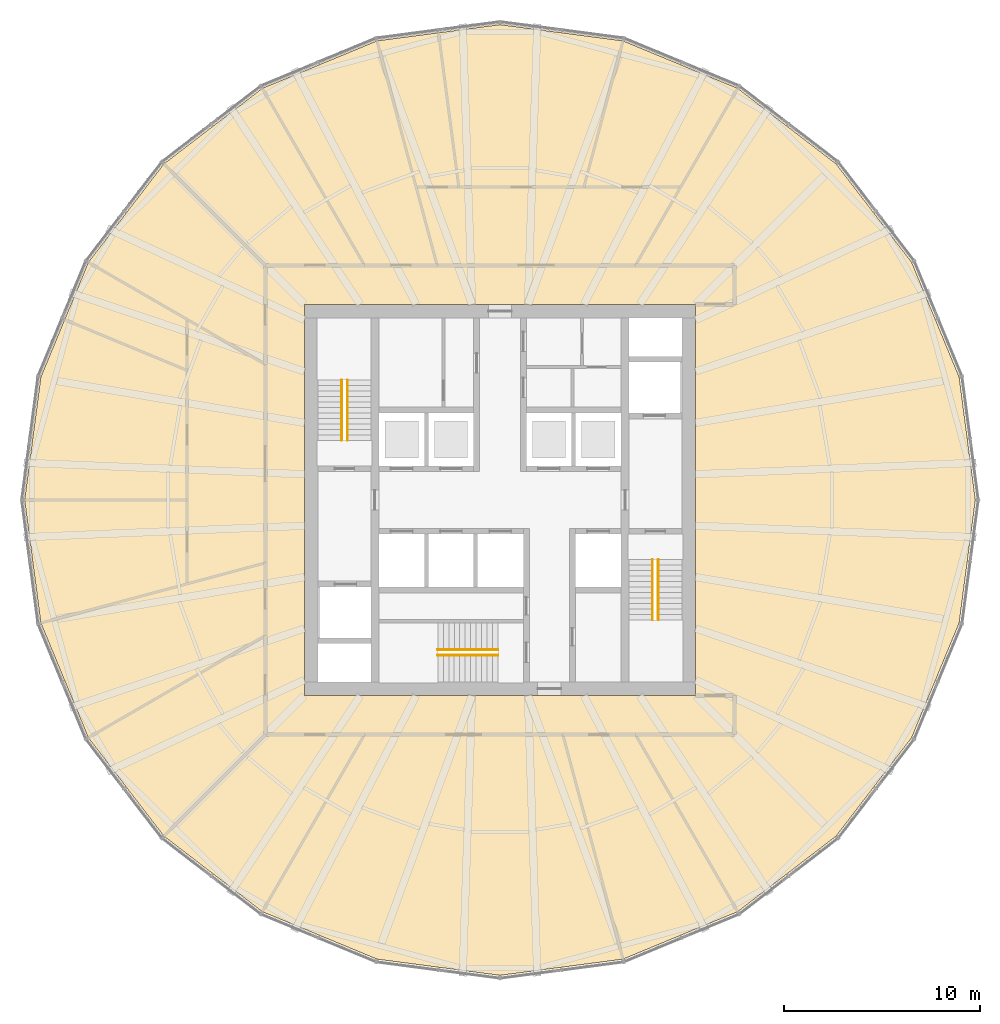
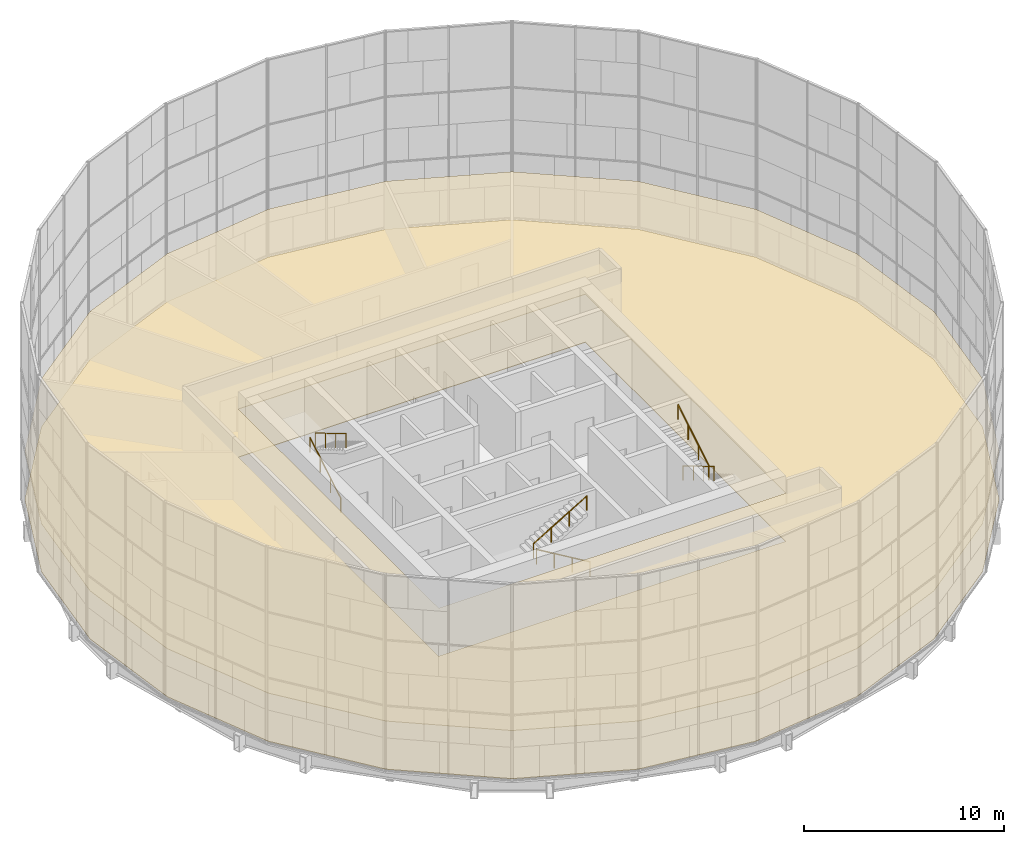
# One storey, part 21 of 22: 6 railings, 2 coverings.
"""IFC4 building model written with IfcOpenShell, lengths in metres."""

from ifc_helpers import new_model, si_unit, direction, frame, origin, origin_2d, place, context, subcontext, project, spatial, polyline, circle, outline, extrude, material, layer, layer_set, type_object, element, save


model = new_model("IFC4")

# Units and contexts
model_context = context("Model", 3, precision=1e-05, world=origin(), true_north=direction((0.0, 1.0)))
body_context = subcontext(model_context, "Body", "Model", "MODEL_VIEW")
ifc_project = project(units=[si_unit("LENGTHUNIT", "METRE"), si_unit("AREAUNIT", "SQUARE_METRE"), si_unit("VOLUMEUNIT", "CUBIC_METRE"), si_unit("PLANEANGLEUNIT", "RADIAN"), si_unit("MASSUNIT", "GRAM", prefix="KILO")], contexts=[model_context])

# Site, building, storey
site_placement = place(None, origin())
site = spatial("IfcSite", under=ifc_project, at=site_placement, CompositionType="ELEMENT")
building_placement = place(site_placement, origin())
building = spatial("IfcBuilding", under=site, at=building_placement, Name="Golbaran Civic Tower", CompositionType="ELEMENT")
storey_placement = place(building_placement, frame((0.0, 0.0, 90.0)))
storey = spatial("IfcBuildingStorey", under=building, at=storey_placement, Name="L21", CompositionType="ELEMENT", Elevation=90.0)

# Covering
ifc_material_1 = material(Name="Perforated aluminium plank on carriers", Category="aluminium")
ifc_layer_1 = layer(ifc_material_1, 0.030029296875, Name="Perforated aluminium plank on carriers")
ifc_layer_set_1 = layer_set([ifc_layer_1], Name="Perforated aluminium plank on carriers")
covering_type_1 = type_object("IfcCoveringType", Name="METAL PLANK CEILING 30", PredefinedType="CEILING", material=ifc_layer_set_1)
covering_1_placement = place(storey_placement, frame((0.0, 0.0, 2.89990234375)))
element("IfcCovering", 1, at=covering_1_placement, inside=storey, type_object=covering_type_1, Name="Suspended ceiling L21", PredefinedType="CEILING", context=body_context, shape_type="SweptSolid", body=[
    extrude(outline(polyline([(-21.053955078125, 12.155517578125), (-17.1904296875, 17.1904296875), (-12.155517578125, 21.053955078125), (-6.292236328125, 23.482666015625), (0.0, 24.31103515625), (6.292236328125, 23.482666015625), (12.155517578125, 21.053955078125), (17.1904296875, 17.1904296875), (21.053955078125, 12.155517578125), (23.482666015625, 6.292236328125), (24.31103515625, 0.0), (23.482666015625, -6.292236328125), (21.053955078125, -12.155517578125), (17.1904296875, -17.1904296875), (12.155517578125, -21.053955078125), (6.292236328125, -23.482666015625), (0.0, -24.31103515625), (-6.292236328125, -23.482666015625), (-12.155517578125, -21.053955078125), (-17.1904296875, -17.1904296875), (-21.053955078125, -12.155517578125), (-23.482666015625, -6.292236328125), (-24.31103515625, 0.0), (-23.482666015625, 6.292236328125), (-21.053955078125, 12.155517578125)]), holes=[polyline([(10.0, -10.0), (10.0, 10.0), (-10.0, 10.0), (-10.0, -10.0), (10.0, -10.0)])]), origin(), (0.0, 0.0, 1.0), 0.030029296875),
])

# Railings
ifc_material_2 = material(Name="Stainless steel", Category="steel")
railing_type = type_object("IfcRailingType", Name="STAIR HANDRAIL 900", PredefinedType="HANDRAIL", material=ifc_material_2)
railing_1_placement = place(storey_placement, frame((-8.10009765625, 3.050048828125, 0.166748046875)))
element("IfcRailing", 2, at=railing_1_placement, inside=storey, type_object=railing_type, Name="Stair S1 handrail flight 1 L21", PredefinedType="HANDRAIL", context=body_context, shape_type="SweptSolid", body=[
    extrude(circle(Radius=0.02392578125, at=origin_2d()), frame((0.0, 0.0, 0.8759765625), z_axis=(0.0, 0.859290745958, 0.51148745235), x_axis=(-1.0, 0.0, 0.0)), (0.0, 0.0, 1.0), 3.584228515625),
    extrude(circle(Radius=0.02099609375, at=origin_2d()), origin(), (0.0, 0.0, 1.0), 0.851806640625),
    extrude(circle(Radius=0.02099609375, at=origin_2d()), frame((0.0, 1.026611328125, 0.611083984375)), (0.0, 0.0, 1.0), 0.851806640625),
    extrude(circle(Radius=0.02099609375, at=origin_2d()), frame((0.0, 2.05322265625, 1.22216796875)), (0.0, 0.0, 1.0), 0.851806640625),
    extrude(circle(Radius=0.02099609375, at=origin_2d()), frame((0.0, 3.079833984375, 1.833251953125)), (0.0, 0.0, 1.0), 0.851806640625),
])
for number, where, name in (
    (3, (-7.800048828125, 6.1298828125, 2.166748046875), "Stair S1 handrail flight 2 L21"),
    (4, (8.10009765625, -3.050048828125, 0.166748046875), "Stair S2 handrail flight 1 L21"),
):
    element("IfcRailing", number, at=place(storey_placement, frame(where)), inside=storey, type_object=railing_type, Name=name, PredefinedType="HANDRAIL", context=body_context, shape_type="SweptSolid", body=[
        extrude(circle(Radius=0.02392578125, at=origin_2d()), frame((0.0, 0.0, 0.8759765625), z_axis=(0.0, -0.859290745958, 0.51148745235), x_axis=(1.0, 0.0, 0.0)), (0.0, 0.0, 1.0), 3.584228515625),
        extrude(circle(Radius=0.02099609375, at=origin_2d()), origin(), (0.0, 0.0, 1.0), 0.851806640625),
        extrude(circle(Radius=0.02099609375, at=origin_2d()), frame((0.0, -1.026611328125, 0.611083984375)), (0.0, 0.0, 1.0), 0.851806640625),
        extrude(circle(Radius=0.02099609375, at=origin_2d()), frame((0.0, -2.05322265625, 1.22216796875)), (0.0, 0.0, 1.0), 0.851806640625),
        extrude(circle(Radius=0.02099609375, at=origin_2d()), frame((0.0, -3.079833984375, 1.833251953125)), (0.0, 0.0, 1.0), 0.851806640625),
    ])
railing_2_placement = place(storey_placement, frame((7.800048828125, -6.1298828125, 2.166748046875)))
element("IfcRailing", 5, at=railing_2_placement, inside=storey, type_object=railing_type, Name="Stair S2 handrail flight 2 L21", PredefinedType="HANDRAIL", context=body_context, shape_type="SweptSolid", body=[
    extrude(circle(Radius=0.02392578125, at=origin_2d()), frame((0.0, 0.0, 0.8759765625), z_axis=(0.0, 0.859290745958, 0.51148745235), x_axis=(-1.0, 0.0, 0.0)), (0.0, 0.0, 1.0), 3.584228515625),
    extrude(circle(Radius=0.02099609375, at=origin_2d()), origin(), (0.0, 0.0, 1.0), 0.851806640625),
    extrude(circle(Radius=0.02099609375, at=origin_2d()), frame((0.0, 1.026611328125, 0.611083984375)), (0.0, 0.0, 1.0), 0.851806640625),
    extrude(circle(Radius=0.02099609375, at=origin_2d()), frame((0.0, 2.05322265625, 1.22216796875)), (0.0, 0.0, 1.0), 0.851806640625),
    extrude(circle(Radius=0.02099609375, at=origin_2d()), frame((0.0, 3.079833984375, 1.833251953125)), (0.0, 0.0, 1.0), 0.851806640625),
])
railing_3_placement = place(storey_placement, frame((-0.10009765625, -7.949951171875, 0.166748046875)))
element("IfcRailing", 6, at=railing_3_placement, inside=storey, type_object=railing_type, Name="Stair S3 handrail flight 1 L21", PredefinedType="HANDRAIL", context=body_context, shape_type="SweptSolid", body=[
    extrude(circle(Radius=0.02392578125, at=origin_2d()), frame((0.0, 0.0, 0.8759765625), z_axis=(-0.859290745958, 0.0, 0.51148745235), x_axis=(0.0, -1.0, 0.0)), (0.0, 0.0, 1.0), 3.584228515625),
    extrude(circle(Radius=0.02099609375, at=origin_2d()), origin(), (0.0, 0.0, 1.0), 0.851806640625),
    extrude(circle(Radius=0.02099609375, at=origin_2d()), frame((-1.026611328125, 0.0, 0.611083984375)), (0.0, 0.0, 1.0), 0.851806640625),
    extrude(circle(Radius=0.02099609375, at=origin_2d()), frame((-2.05322265625, 0.0, 1.22216796875)), (0.0, 0.0, 1.0), 0.851806640625),
    extrude(circle(Radius=0.02099609375, at=origin_2d()), frame((-3.079833984375, 0.0, 1.833251953125)), (0.0, 0.0, 1.0), 0.851806640625),
])
railing_4_placement = place(storey_placement, frame((-3.179931640625, -7.64990234375, 2.166748046875)))
element("IfcRailing", 7, at=railing_4_placement, inside=storey, type_object=railing_type, Name="Stair S3 handrail flight 2 L21", PredefinedType="HANDRAIL", context=body_context, shape_type="SweptSolid", body=[
    extrude(circle(Radius=0.02392578125, at=origin_2d()), frame((0.0, 0.0, 0.8759765625), z_axis=(0.859290745958, 0.0, 0.51148745235), x_axis=(0.0, 1.0, 0.0)), (0.0, 0.0, 1.0), 3.584228515625),
    extrude(circle(Radius=0.02099609375, at=origin_2d()), origin(), (0.0, 0.0, 1.0), 0.851806640625),
    extrude(circle(Radius=0.02099609375, at=origin_2d()), frame((1.026611328125, 0.0, 0.611083984375)), (0.0, 0.0, 1.0), 0.851806640625),
    extrude(circle(Radius=0.02099609375, at=origin_2d()), frame((2.05322265625, 0.0, 1.22216796875)), (0.0, 0.0, 1.0), 0.851806640625),
    extrude(circle(Radius=0.02099609375, at=origin_2d()), frame((3.079833984375, 0.0, 1.833251953125)), (0.0, 0.0, 1.0), 0.851806640625),
])

# Covering
ifc_material_3 = material(Name="Travertine tile on mortar bed", Category="masonry")
ifc_layer_2 = layer(ifc_material_3, 0.030029296875, Name="Travertine tile on mortar bed")
ifc_layer_set_2 = layer_set([ifc_layer_2], Name="Travertine tile on mortar bed")
covering_type_2 = type_object("IfcCoveringType", Name="STONE FLOOR FINISH 30", PredefinedType="FLOORING", material=ifc_layer_set_2)
covering_2_placement = place(storey_placement, frame((0.0, 0.0, -0.030029296875)))
element("IfcCovering", 8, at=covering_2_placement, inside=storey, type_object=covering_type_2, Name="Stone floor finish L21", PredefinedType="FLOORING", context=body_context, shape_type="SweptSolid", body=[
    extrude(outline(polyline([(-21.053955078125, 12.155517578125), (-17.1904296875, 17.1904296875), (-12.155517578125, 21.053955078125), (-6.292236328125, 23.482666015625), (0.0, 24.31103515625), (6.292236328125, 23.482666015625), (12.155517578125, 21.053955078125), (17.1904296875, 17.1904296875), (21.053955078125, 12.155517578125), (23.482666015625, 6.292236328125), (24.31103515625, 0.0), (23.482666015625, -6.292236328125), (21.053955078125, -12.155517578125), (17.1904296875, -17.1904296875), (12.155517578125, -21.053955078125), (6.292236328125, -23.482666015625), (0.0, -24.31103515625), (-6.292236328125, -23.482666015625), (-12.155517578125, -21.053955078125), (-17.1904296875, -17.1904296875), (-21.053955078125, -12.155517578125), (-23.482666015625, -6.292236328125), (-24.31103515625, 0.0), (-23.482666015625, 6.292236328125), (-21.053955078125, 12.155517578125)]), holes=[polyline([(10.0, -10.0), (10.0, 10.0), (-10.0, 10.0), (-10.0, -10.0), (10.0, -10.0)])]), origin(), (0.0, 0.0, 1.0), 0.030029296875),
])

save(model, "model.ifc")
